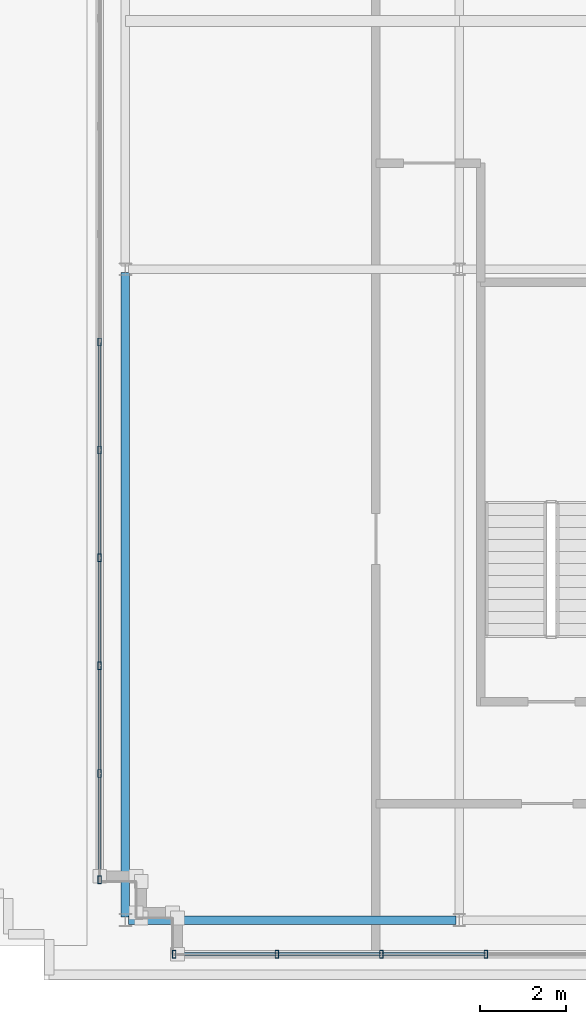
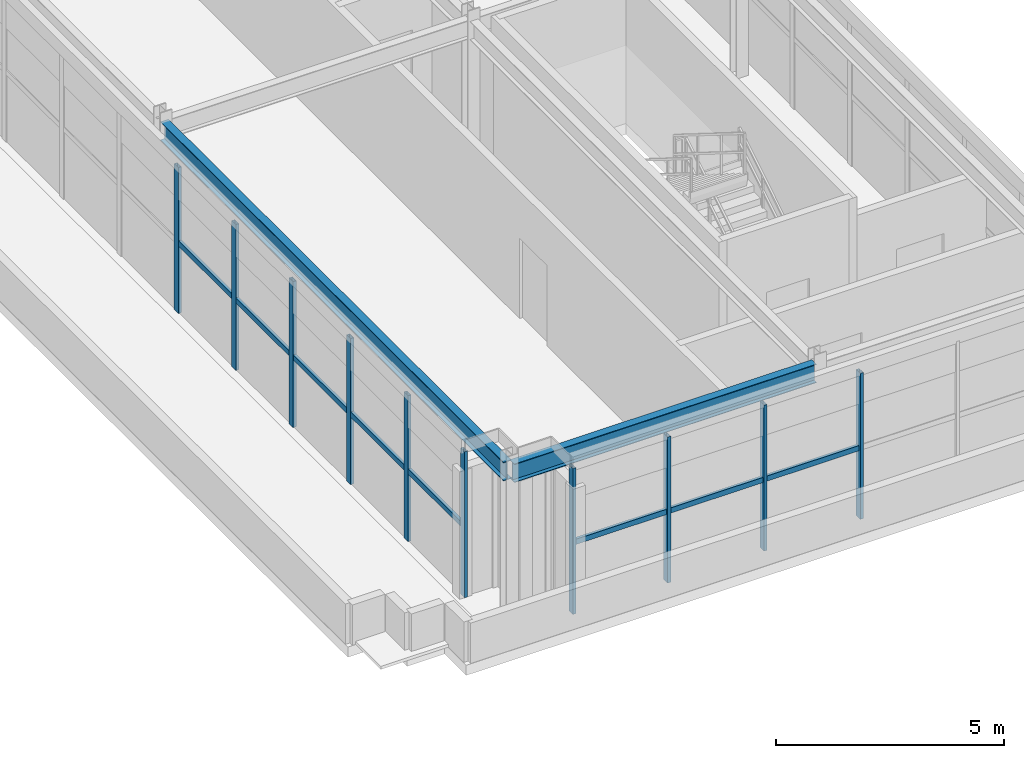
# One storey, part 12 of 25: 18 members, 2 beams, 2 elements without a shape of their own.
"""IFC4 building model written with IfcOpenShell, lengths in metres."""

from ifc_helpers import new_model, si_unit, direction, frame, origin, origin_2d, place, context, subcontext, project, spatial, hollow_rectangle, i_section, extrude, source, transform, mapped, material, material_profile, profile_set, type_object, element, aggregate, save


model = new_model("IFC4")

# Units and contexts
model_context = context("Model", 3, precision=1e-05, world=origin(), true_north=direction((0.0, 1.0)))
body_context = subcontext(model_context, "Body", "Model", "MODEL_VIEW")
ifc_project = project(units=[si_unit("LENGTHUNIT", "METRE"), si_unit("AREAUNIT", "SQUARE_METRE"), si_unit("VOLUMEUNIT", "CUBIC_METRE"), si_unit("PLANEANGLEUNIT", "RADIAN"), si_unit("MASSUNIT", "GRAM", prefix="KILO")], contexts=[model_context])

# Site, building, storey
site_placement = place(None, origin())
site = spatial("IfcSite", under=ifc_project, at=site_placement, CompositionType="ELEMENT")
building_placement = place(site_placement, origin())
building = spatial("IfcBuilding", under=site, at=building_placement, Name="Trelvane Seafront Commons", CompositionType="ELEMENT")
storey_placement = place(building_placement, frame((0.0, 0.0, 316.699951171875)))
storey = spatial("IfcBuildingStorey", under=building, at=storey_placement, Name="L82", CompositionType="ELEMENT", Elevation=316.699951171875)

# Beams
ifc_material_1 = material(Name="Steel SM355 (S355)", Category="steel")
ifc_material_profile_1 = material_profile(ifc_material_1, i_section(OverallWidth=0.199951171875, OverallDepth=0.5, WebThickness=0.010009765625, FlangeThickness=0.01611328125, at=origin_2d()), Name="H-500x200x10x16")
ifc_profile_set_1 = profile_set([ifc_material_profile_1], Name="Steel SM355 (S355)")
beam_type_1 = type_object("IfcBeamType", Name="STR-CROWN-FRAME-RING", PredefinedType="SPANDREL", material=ifc_profile_set_1)
shared_shape_1 = source(origin(), body_context, "Body", "SweptSolid", [
    extrude(i_section(OverallWidth=0.199951171875, OverallDepth=0.5, WebThickness=0.010009765625, FlangeThickness=0.01611328125, at=origin_2d()), origin(), (0.0, 0.0, 1.0), 7.650146484375),
])
beam_1_placement = place(storey_placement, frame((51.074951171875, 18.199951171875, 3.66015625), z_axis=(1.0, 0.0, 0.0), x_axis=(0.0, 1.0, 0.0)))
element("IfcBeam", 1, at=beam_1_placement, inside=storey, type_object=beam_type_1, Name="L82 CROWN FRAME Ring Beam G-03", PredefinedType="SPANDREL", context=body_context, shape_type="MappedRepresentation", body=[
    mapped(shared_shape_1, transform((0.0, 0.0, 0.0), x_axis=(1.0, 0.0, 0.0), y_axis=(0.0, 1.0, 0.0), z_axis=(0.0, 0.0, 1.0), scale=1.0)),
])
ifc_material_profile_2 = material_profile(ifc_material_1, i_section(OverallWidth=0.199951171875, OverallDepth=0.5, WebThickness=0.010009765625, FlangeThickness=0.01611328125, at=origin_2d()), Name="H-500x200x10x16")
ifc_profile_set_2 = profile_set([ifc_material_profile_2], Name="Steel SM355 (S355)")
beam_type_2 = type_object("IfcBeamType", Name="STR-BM-H500", PredefinedType="BEAM", material=ifc_profile_set_2)
shared_shape_2 = source(origin(), body_context, "Body", "SweptSolid", [
    extrude(i_section(OverallWidth=0.199951171875, OverallDepth=0.5, WebThickness=0.010009765625, FlangeThickness=0.01611328125, at=origin_2d()), origin(), (0.0, 0.0, 1.0), 15.050048828125),
])
beam_2_placement = place(storey_placement, frame((51.0, 18.27490234375, 3.66015625), z_axis=(0.0, 1.0, 0.0), x_axis=(-1.0, 0.0, 0.0)))
element("IfcBeam", 2, at=beam_2_placement, inside=storey, type_object=beam_type_2, Name="L82 Primary Girder G-19", PredefinedType="BEAM", context=body_context, shape_type="MappedRepresentation", body=[
    mapped(shared_shape_2, transform((0.0, 0.0, 0.0), x_axis=(1.0, 0.0, 0.0), y_axis=(0.0, 1.0, 0.0), z_axis=(0.0, 0.0, 1.0), scale=1.0)),
])

# Curtain wall, members
ifc_material_2 = material(Name="Anodised pale-silver aluminium", Category="aluminium")
curtain_wall_type = type_object("IfcCurtainWallType", Name="ARCH-CW6-CROWN", PredefinedType="NOTDEFINED", material=ifc_material_2)
curtain_wall_1_placement = place(storey_placement, origin())
curtain_wall_1 = element("IfcCurtainWall", 3, at=curtain_wall_1_placement, inside=storey, type_object=curtain_wall_type, Name="CW-L82-0156", PredefinedType="NOTDEFINED")
ifc_material_profile_3 = material_profile(ifc_material_2, hollow_rectangle(XDim=0.080078125, YDim=0.179931640625, WallThickness=0.00439453125, at=origin_2d()), Name="MULL-80x180x4.5")
ifc_profile_set_3 = profile_set([ifc_material_profile_3], Name="Anodised pale-silver aluminium")
member_type_1 = type_object("IfcMemberType", Name="ARCH-CW-MULL-180", PredefinedType="MULLION", material=ifc_profile_set_3)
shared_shape_3 = source(origin(), body_context, "Body", "SweptSolid", [
    extrude(hollow_rectangle(XDim=0.080078125, YDim=0.179931640625, WallThickness=0.00439453125, at=origin_2d()), origin(), (0.0, 0.0, 1.0), 3.91015625),
])
member_1_placement = place(storey_placement, frame((50.39990234375, 19.139892578125, 0.0), z_axis=(0.0, 0.0, 1.0), x_axis=(1.0, 0.0, 0.0)))
member_1 = element("IfcMember", 4, at=member_1_placement, type_object=member_type_1, Name="CW-L82-0156-M00", PredefinedType="MULLION", context=body_context, shape_type="MappedRepresentation", body=[
    mapped(shared_shape_3, transform((0.0, 0.0, 0.0), x_axis=(1.0, 0.0, 0.0), y_axis=(0.0, 1.0, 0.0), z_axis=(0.0, 0.0, 1.0), scale=1.0)),
])
member_2_placement = place(storey_placement, frame((50.39990234375, 21.6201171875, 0.0), z_axis=(0.0, 0.0, 1.0), x_axis=(1.0, 0.0, 0.0)))
member_2 = element("IfcMember", 5, at=member_2_placement, type_object=member_type_1, Name="CW-L82-0156-M01", PredefinedType="MULLION", context=body_context, shape_type="MappedRepresentation", body=[
    mapped(shared_shape_3, transform((0.0, 0.0, 0.0), x_axis=(1.0, 0.0, 0.0), y_axis=(0.0, 1.0, 0.0), z_axis=(0.0, 0.0, 1.0), scale=1.0)),
])
member_3_placement = place(storey_placement, frame((50.39990234375, 24.139892578125, 0.0), z_axis=(0.0, 0.0, 1.0), x_axis=(1.0, 0.0, 0.0)))
member_3 = element("IfcMember", 6, at=member_3_placement, type_object=member_type_1, Name="CW-L82-0156-M02", PredefinedType="MULLION", context=body_context, shape_type="MappedRepresentation", body=[
    mapped(shared_shape_3, transform((0.0, 0.0, 0.0), x_axis=(1.0, 0.0, 0.0), y_axis=(0.0, 1.0, 0.0), z_axis=(0.0, 0.0, 1.0), scale=1.0)),
])
member_4_placement = place(storey_placement, frame((50.39990234375, 26.659912109375, 0.0), z_axis=(0.0, 0.0, 1.0), x_axis=(1.0, 0.0, 0.0)))
member_4 = element("IfcMember", 7, at=member_4_placement, type_object=member_type_1, Name="CW-L82-0156-M03", PredefinedType="MULLION", context=body_context, shape_type="MappedRepresentation", body=[
    mapped(shared_shape_3, transform((0.0, 0.0, 0.0), x_axis=(1.0, 0.0, 0.0), y_axis=(0.0, 1.0, 0.0), z_axis=(0.0, 0.0, 1.0), scale=1.0)),
])
member_5_placement = place(storey_placement, frame((50.39990234375, 29.179931640625, 0.0), z_axis=(0.0, 0.0, 1.0), x_axis=(1.0, 0.0, 0.0)))
member_5 = element("IfcMember", 8, at=member_5_placement, type_object=member_type_1, Name="CW-L82-0156-M04", PredefinedType="MULLION", context=body_context, shape_type="MappedRepresentation", body=[
    mapped(shared_shape_3, transform((0.0, 0.0, 0.0), x_axis=(1.0, 0.0, 0.0), y_axis=(0.0, 1.0, 0.0), z_axis=(0.0, 0.0, 1.0), scale=1.0)),
])
member_6_placement = place(storey_placement, frame((50.39990234375, 31.699951171875, 0.0), z_axis=(0.0, 0.0, 1.0), x_axis=(1.0, 0.0, 0.0)))
member_6 = element("IfcMember", 9, at=member_6_placement, type_object=member_type_1, Name="CW-L82-0156-M05", PredefinedType="MULLION", context=body_context, shape_type="MappedRepresentation", body=[
    mapped(shared_shape_3, transform((0.0, 0.0, 0.0), x_axis=(1.0, 0.0, 0.0), y_axis=(0.0, 1.0, 0.0), z_axis=(0.0, 0.0, 1.0), scale=1.0)),
])

curtain_wall_2_placement = place(storey_placement, origin())
curtain_wall_2 = element("IfcCurtainWall", 10, at=curtain_wall_2_placement, inside=storey, type_object=curtain_wall_type, Name="CW-L82-0159", PredefinedType="NOTDEFINED")
member_7_placement = place(storey_placement, frame((59.419921875, 17.39990234375, 0.0), z_axis=(0.0, 0.0, 1.0), x_axis=(1.0, 0.0, 0.0)))
member_7 = element("IfcMember", 11, at=member_7_placement, type_object=member_type_1, Name="CW-L82-0159-M02", PredefinedType="MULLION", context=body_context, shape_type="MappedRepresentation", body=[
    mapped(shared_shape_3, transform((0.0, 0.0, 0.0), x_axis=(1.0, 0.0, 0.0), y_axis=(0.0, 1.0, 0.0), z_axis=(0.0, 0.0, 1.0), scale=1.0)),
])
member_8_placement = place(storey_placement, frame((56.97998046875, 17.39990234375, 0.0), z_axis=(0.0, 0.0, 1.0), x_axis=(1.0, 0.0, 0.0)))
member_8 = element("IfcMember", 12, at=member_8_placement, type_object=member_type_1, Name="CW-L82-0159-M03", PredefinedType="MULLION", context=body_context, shape_type="MappedRepresentation", body=[
    mapped(shared_shape_3, transform((0.0, 0.0, 0.0), x_axis=(1.0, 0.0, 0.0), y_axis=(0.0, 1.0, 0.0), z_axis=(0.0, 0.0, 1.0), scale=1.0)),
])
member_9_placement = place(storey_placement, frame((54.5400390625, 17.39990234375, 0.0), z_axis=(0.0, 0.0, 1.0), x_axis=(1.0, 0.0, 0.0)))
member_9 = element("IfcMember", 13, at=member_9_placement, type_object=member_type_1, Name="CW-L82-0159-M04", PredefinedType="MULLION", context=body_context, shape_type="MappedRepresentation", body=[
    mapped(shared_shape_3, transform((0.0, 0.0, 0.0), x_axis=(1.0, 0.0, 0.0), y_axis=(0.0, 1.0, 0.0), z_axis=(0.0, 0.0, 1.0), scale=1.0)),
])
member_10_placement = place(storey_placement, frame((52.139892578125, 17.39990234375, 0.0), z_axis=(0.0, 0.0, 1.0), x_axis=(1.0, 0.0, 0.0)))
member_10 = element("IfcMember", 14, at=member_10_placement, type_object=member_type_1, Name="CW-L82-0159-M05", PredefinedType="MULLION", context=body_context, shape_type="MappedRepresentation", body=[
    mapped(shared_shape_3, transform((0.0, 0.0, 0.0), x_axis=(1.0, 0.0, 0.0), y_axis=(0.0, 1.0, 0.0), z_axis=(0.0, 0.0, 1.0), scale=1.0)),
])

# Member
ifc_material_profile_4 = material_profile(ifc_material_2, hollow_rectangle(XDim=0.074951171875, YDim=0.139892578125, WallThickness=0.00390625, at=origin_2d()), Name="TRAN-75x140x4")
ifc_profile_set_4 = profile_set([ifc_material_profile_4], Name="Anodised pale-silver aluminium")
member_type_2 = type_object("IfcMemberType", Name="ARCH-CW-TRAN-140", PredefinedType="USERDEFINED", material=ifc_profile_set_4)
shared_shape_4 = source(origin(), body_context, "Body", "SweptSolid", [
    extrude(hollow_rectangle(XDim=0.074951171875, YDim=0.139892578125, WallThickness=0.00390625, at=origin_2d()), origin(), (0.0, 0.0, 1.0), 2.495849609375),
])
member_11_placement = place(storey_placement, frame((50.39990234375, 19.112060546875, 1.876953125), z_axis=(0.0, 1.0, 0.0), x_axis=(-1.0, 0.0, 0.0)))
member_11 = element("IfcMember", 15, at=member_11_placement, type_object=member_type_2, Name="CW-L82-0156-T00", ObjectType="TRANSOM", PredefinedType="USERDEFINED", context=body_context, shape_type="MappedRepresentation", body=[
    mapped(shared_shape_4, transform((0.0, 0.0, 0.0), x_axis=(1.0, 0.0, 0.0), y_axis=(0.0, 1.0, 0.0), z_axis=(0.0, 0.0, 1.0), scale=1.0)),
])

member_12_placement = place(storey_placement, frame((50.39990234375, 21.632080078125, 1.876953125), z_axis=(0.0, 1.0, 0.0), x_axis=(-1.0, 0.0, 0.0)))
member_12 = element("IfcMember", 16, at=member_12_placement, type_object=member_type_2, Name="CW-L82-0156-T01", ObjectType="TRANSOM", PredefinedType="USERDEFINED", context=body_context, shape_type="MappedRepresentation", body=[
    mapped(shared_shape_4, transform((0.0, 0.0, 0.0), x_axis=(1.0, 0.0, 0.0), y_axis=(0.0, 1.0, 0.0), z_axis=(0.0, 0.0, 1.0), scale=1.0)),
])

member_13_placement = place(storey_placement, frame((50.39990234375, 24.152099609375, 1.876953125), z_axis=(0.0, 1.0, 0.0), x_axis=(-1.0, 0.0, 0.0)))
member_13 = element("IfcMember", 17, at=member_13_placement, type_object=member_type_2, Name="CW-L82-0156-T02", ObjectType="TRANSOM", PredefinedType="USERDEFINED", context=body_context, shape_type="MappedRepresentation", body=[
    mapped(shared_shape_4, transform((0.0, 0.0, 0.0), x_axis=(1.0, 0.0, 0.0), y_axis=(0.0, 1.0, 0.0), z_axis=(0.0, 0.0, 1.0), scale=1.0)),
])

member_14_placement = place(storey_placement, frame((50.39990234375, 26.672119140625, 1.876953125), z_axis=(0.0, 1.0, 0.0), x_axis=(-1.0, 0.0, 0.0)))
member_14 = element("IfcMember", 18, at=member_14_placement, type_object=member_type_2, Name="CW-L82-0156-T03", ObjectType="TRANSOM", PredefinedType="USERDEFINED", context=body_context, shape_type="MappedRepresentation", body=[
    mapped(shared_shape_4, transform((0.0, 0.0, 0.0), x_axis=(1.0, 0.0, 0.0), y_axis=(0.0, 1.0, 0.0), z_axis=(0.0, 0.0, 1.0), scale=1.0)),
])

shared_shape_5 = source(origin(), body_context, "Body", "SweptSolid", [
    extrude(hollow_rectangle(XDim=0.074951171875, YDim=0.139892578125, WallThickness=0.00390625, at=origin_2d()), origin(), (0.0, 0.0, 1.0), 2.49609375),
])
member_15_placement = place(storey_placement, frame((50.39990234375, 29.19189453125, 1.876953125), z_axis=(0.0, 1.0, 0.0), x_axis=(-1.0, 0.0, 0.0)))
member_15 = element("IfcMember", 19, at=member_15_placement, type_object=member_type_2, Name="CW-L82-0156-T04", ObjectType="TRANSOM", PredefinedType="USERDEFINED", context=body_context, shape_type="MappedRepresentation", body=[
    mapped(shared_shape_5, transform((0.0, 0.0, 0.0), x_axis=(1.0, 0.0, 0.0), y_axis=(0.0, 1.0, 0.0), z_axis=(0.0, 0.0, 1.0), scale=1.0)),
])

aggregate(curtain_wall_1, [member_1, member_2, member_3, member_4, member_5, member_6, member_11, member_12, member_13, member_14, member_15])

shared_shape_6 = source(origin(), body_context, "Body", "SweptSolid", [
    extrude(hollow_rectangle(XDim=0.074951171875, YDim=0.139892578125, WallThickness=0.00390625, at=origin_2d()), origin(), (0.0, 0.0, 1.0), 2.416015625),
])
member_16_placement = place(storey_placement, frame((59.407958984375, 17.39990234375, 1.876953125), z_axis=(-1.0, 0.0, 0.0), x_axis=(0.0, -1.0, 0.0)))
member_16 = element("IfcMember", 20, at=member_16_placement, type_object=member_type_2, Name="CW-L82-0159-T02", ObjectType="TRANSOM", PredefinedType="USERDEFINED", context=body_context, shape_type="MappedRepresentation", body=[
    mapped(shared_shape_6, transform((0.0, 0.0, 0.0), x_axis=(1.0, 0.0, 0.0), y_axis=(0.0, 1.0, 0.0), z_axis=(0.0, 0.0, 1.0), scale=1.0)),
])

member_17_placement = place(storey_placement, frame((56.968017578125, 17.39990234375, 1.876953125), z_axis=(-1.0, 0.0, 0.0), x_axis=(0.0, -1.0, 0.0)))
member_17 = element("IfcMember", 21, at=member_17_placement, type_object=member_type_2, Name="CW-L82-0159-T03", ObjectType="TRANSOM", PredefinedType="USERDEFINED", context=body_context, shape_type="MappedRepresentation", body=[
    mapped(shared_shape_6, transform((0.0, 0.0, 0.0), x_axis=(1.0, 0.0, 0.0), y_axis=(0.0, 1.0, 0.0), z_axis=(0.0, 0.0, 1.0), scale=1.0)),
])

member_18_placement = place(storey_placement, frame((54.528076171875, 17.39990234375, 1.876953125), z_axis=(-1.0, 0.0, 0.0), x_axis=(0.0, -1.0, 0.0)))
member_18 = element("IfcMember", 22, at=member_18_placement, type_object=member_type_2, Name="CW-L82-0159-T04", ObjectType="TRANSOM", PredefinedType="USERDEFINED", context=body_context, shape_type="MappedRepresentation", body=[
    mapped(shared_shape_6, transform((0.0, 0.0, 0.0), x_axis=(1.0, 0.0, 0.0), y_axis=(0.0, 1.0, 0.0), z_axis=(0.0, 0.0, 1.0), scale=1.0)),
])

aggregate(curtain_wall_2, [member_7, member_8, member_9, member_10, member_16, member_17, member_18])

save(model, "model.ifc")
